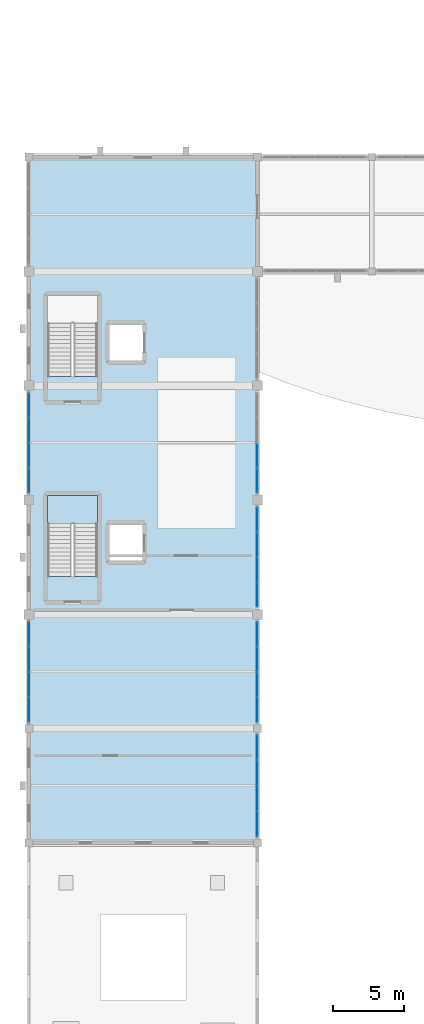
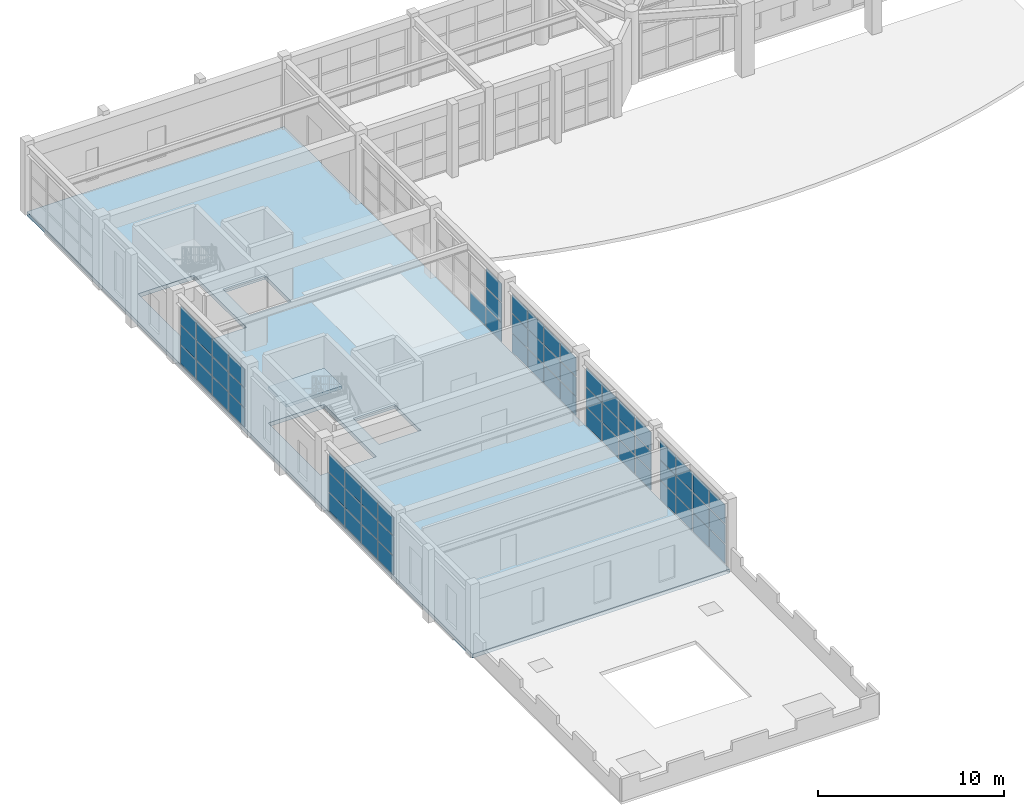
# One storey, part 28 of 59: 64 plates, 2 slabs, 7 elements without a shape of their own.
"""IFC4 building model written with IfcOpenShell, lengths in metres."""

import ifcopenshell
import ifcopenshell.guid

model = None  # the IFC model being written
_history = None  # IfcOwnerHistory: only IFC2X3 demands one
_inside = {}  # id of a spatial element -> (the spatial element, [elements in it])
_under = {}  # id of a project, library or spatial element -> (it, [spatial elements below it])
_declared = {}  # id of a project -> (the project, [libraries it declares])
_typed = {}  # id of a type object -> (the type object, [elements of that type])
_made_of = {}  # id of a material, layer set ... -> (it, [elements and type objects made of it])


def new_model(schema):
    """Start an empty IFC model of exactly this schema.

    Asked for "IFC4X3", IfcOpenShell would pick the latest addendum, in which some entities
    have other attributes; the version numbers below select the first issue.
    IFC2X3 requires an IfcOwnerHistory on every rooted entity: one is made here for all.
    """
    global model, _history
    if schema == "IFC4X3":
        model = ifcopenshell.file(schema_version=(4, 3, 0, 0))
    else:
        model = ifcopenshell.file(schema=schema)
    _inside.clear()
    _under.clear()
    _declared.clear()
    _typed.clear()
    _made_of.clear()
    _history = None
    if model.schema == "IFC2X3":
        org = make("IfcOrganization", Name="unknown")
        user = make(
            "IfcPersonAndOrganization",
            ThePerson=make("IfcPerson", FamilyName="unknown"),
            TheOrganization=org,
        )
        app = make(
            "IfcApplication",
            ApplicationDeveloper=org,
            Version="unknown",
            ApplicationFullName="unknown",
            ApplicationIdentifier="unknown",
        )
        _history = make(
            "IfcOwnerHistory",
            OwningUser=user,
            OwningApplication=app,
            ChangeAction="ADDED",
            CreationDate=0,
        )
    return model


def make(cls, **values):
    """One entity of the class cls with the attributes given. An attribute that is None is left unset."""
    return model.create_entity(
        cls, **{name: value for name, value in values.items() if value is not None}
    )


def rooted(cls, **values):
    """An entity with a GlobalId (a new one), such as an element, a storey or a relation."""
    return make(cls, GlobalId=ifcopenshell.guid.new(), OwnerHistory=_history, **values)


def si_unit(unit_type, name, prefix=None):
    """IfcSIUnit, for example si_unit("LENGTHUNIT", "METRE", prefix="MILLI")."""
    return make("IfcSIUnit", UnitType=unit_type, Prefix=prefix, Name=name)


def assignment(units):
    """IfcUnitAssignment: the units of a project."""
    return None if units is None else make("IfcUnitAssignment", Units=units)


def point(xyz):
    """IfcCartesianPoint."""
    return None if xyz is None else make("IfcCartesianPoint", Coordinates=xyz)


def direction(xyz):
    """IfcDirection."""
    return None if xyz is None else make("IfcDirection", DirectionRatios=xyz)


def frame(location, z_axis=None, x_axis=None):
    """IfcAxis2Placement3D, a coordinate frame: its origin and axes. An axis left out is left unset."""
    return make(
        "IfcAxis2Placement3D",
        Location=point(location),
        Axis=direction(z_axis),
        RefDirection=direction(x_axis),
    )


def frame_2d(location, x_axis=None):
    """IfcAxis2Placement2D, a coordinate frame in the plane: its origin and x axis."""
    return make(
        "IfcAxis2Placement2D", Location=point(location), RefDirection=direction(x_axis)
    )


def origin():
    """The frame at (0, 0, 0) with its axes left unset."""
    return frame((0.0, 0.0, 0.0))


def origin_2d():
    """The frame at (0, 0) in the plane with its x axis left unset."""
    return frame_2d((0.0, 0.0))


def place(relative_to, where):
    """IfcLocalPlacement: puts the frame where relative to a parent placement (None: the world)."""
    return make(
        "IfcLocalPlacement", PlacementRelTo=relative_to, RelativePlacement=where
    )


def context(
    kind, dimensions, precision=None, world=None, true_north=None, identifier=None
):
    """IfcGeometricRepresentationContext, for example the 3D "Model" context."""
    return make(
        "IfcGeometricRepresentationContext",
        ContextIdentifier=identifier,
        ContextType=kind,
        CoordinateSpaceDimension=dimensions,
        Precision=precision,
        WorldCoordinateSystem=world,
        TrueNorth=true_north,
    )


def subcontext(parent, identifier, kind, view, scale=None):
    """IfcGeometricRepresentationSubContext, for example "Body" below "Model"."""
    return make(
        "IfcGeometricRepresentationSubContext",
        ContextIdentifier=identifier,
        ContextType=kind,
        ParentContext=parent,
        TargetScale=scale,
        TargetView=view,
    )


def project(units=None, contexts=None):
    """IfcProject with its units and contexts."""
    return rooted(
        "IfcProject",
        Name="project",
        RepresentationContexts=contexts,
        UnitsInContext=assignment(units),
    )


def spatial(cls, under=None, at=None, **own):
    """A site, building, storey or space (cls), placed at a placement, below another one or the project."""
    s = rooted(cls, ObjectPlacement=at, **own)
    if under is not None:
        _under.setdefault(under.id(), (under, []))[1].append(s)
    return s


def polyline(points):
    """IfcPolyline through the points."""
    return make("IfcPolyline", Points=[point(p) for p in points])


def profile(cls, at=None, kind="AREA", **sizes):
    """A parametric profile (cls). Its sizes go by their IFC names, for example OverallWidth=200.0."""
    return make(cls, ProfileType=kind, Position=at, **sizes)


def rectangle(**sizes):
    """IfcRectangleProfileDef."""
    return profile("IfcRectangleProfileDef", **sizes)


def outline(outer, holes=None, kind="AREA"):
    """IfcArbitraryClosedProfileDef: a profile drawn as a closed curve; with holes, ...WithVoids."""
    if holes is None:
        return make("IfcArbitraryClosedProfileDef", ProfileType=kind, OuterCurve=outer)
    return make(
        "IfcArbitraryProfileDefWithVoids",
        ProfileType=kind,
        OuterCurve=outer,
        InnerCurves=holes,
    )


def extrude(swept, where, along, depth):
    """IfcExtrudedAreaSolid: the profile swept, set in the frame where, extruded along a direction by depth."""
    return make(
        "IfcExtrudedAreaSolid",
        SweptArea=swept,
        Position=where,
        ExtrudedDirection=direction(along),
        Depth=depth,
    )


def shape(context_of_items, identifier, shape_type, items):
    """IfcShapeRepresentation: the items that make up one representation, for example the "Body"."""
    return make(
        "IfcShapeRepresentation",
        ContextOfItems=context_of_items,
        RepresentationIdentifier=identifier,
        RepresentationType=shape_type,
        Items=items,
    )


def material(Name=None, Category=None):
    """IfcMaterial."""
    return make("IfcMaterial", Name=Name, Category=Category)


def layer(
    of_material, thickness, ventilated=None, Name=None, Category=None, Priority=None
):
    """IfcMaterialLayer: one layer of a wall or slab, of a material (None: an air gap)."""
    return make(
        "IfcMaterialLayer",
        Material=of_material,
        LayerThickness=thickness,
        IsVentilated=ventilated,
        Name=Name,
        Category=Category,
        Priority=Priority,
    )


def layer_set(layers, Name=None):
    """IfcMaterialLayerSet."""
    return make("IfcMaterialLayerSet", MaterialLayers=layers, LayerSetName=Name)


def made_of(thing, what):
    """Note that an element or type object is made of a material, layer set ...; save() writes the relation."""
    if what is not None:
        _made_of.setdefault(what.id(), (what, []))[1].append(thing)
    return thing


def type_object(cls, material=None, **own):
    """A type object (cls), such as IfcWallType, which elements share."""
    return made_of(rooted(cls, **own), material)


def element(
    cls,
    number,
    at=None,
    inside=None,
    cuts=None,
    type_object=None,
    material=None,
    context=None,
    identifier="Body",
    shape_type=None,
    held_by="IfcProductDefinitionShape",
    body=None,
    shapes=None,
    **own,
):
    """One element of the class cls, such as IfcWall. Its Tag is "e" and its number.

    at: its placement. inside: the storey or other place that contains it. cuts: it is an
    opening in that element (IfcRelVoidsElement). A single representation is given by context,
    identifier, shape_type and body (its items); several are given by shapes. held_by: the class
    of the entity that holds the representations. save() writes the other relations.
    """
    e = rooted(cls, Tag="e%d" % number, ObjectPlacement=at, **own)
    if body is not None:
        shapes = [shape(context, identifier, shape_type, body)]
    if shapes is not None:
        e.Representation = make(held_by, Representations=shapes)
    if inside is not None:
        _inside.setdefault(inside.id(), (inside, []))[1].append(e)
    if cuts is not None:
        rooted(
            "IfcRelVoidsElement", RelatingBuildingElement=cuts, RelatedOpeningElement=e
        )
    if type_object is not None:
        _typed.setdefault(type_object.id(), (type_object, []))[1].append(e)
    return made_of(e, material)


def aggregate(whole, parts):
    """IfcRelAggregates: a whole, such as a stair, and the parts it consists of."""
    return rooted("IfcRelAggregates", RelatingObject=whole, RelatedObjects=parts)


def save(model, path):
    """Write the relations noted so far, then the file.

    IfcRelAggregates (storeys below a building ...), IfcRelContainedInSpatialStructure (elements
    in a storey), IfcRelDefinesByType, IfcRelAssociatesMaterial and IfcRelDeclares: one each for
    every whole, place, type object, material and project.
    """
    for whole, parts in _under.values():
        aggregate(whole, parts)
    for where, things in _inside.values():
        rooted(
            "IfcRelContainedInSpatialStructure",
            RelatedElements=things,
            RelatingStructure=where,
        )
    for kind, things in _typed.values():
        rooted("IfcRelDefinesByType", RelatedObjects=things, RelatingType=kind)
    for what, things in _made_of.values():
        rooted("IfcRelAssociatesMaterial", RelatedObjects=things, RelatingMaterial=what)
    for by, libraries in _declared.values():
        rooted("IfcRelDeclares", RelatingContext=by, RelatedDefinitions=libraries)
    model.write(path)


model = new_model("IFC4")

# Units and contexts
model_context = context("Model", 3, precision=1e-05, world=origin(), true_north=direction((0.0, 1.0)))
body_context = subcontext(model_context, "Body", "Model", "MODEL_VIEW")
ifc_project = project(units=[si_unit("LENGTHUNIT", "METRE"), si_unit("AREAUNIT", "SQUARE_METRE"), si_unit("VOLUMEUNIT", "CUBIC_METRE"), si_unit("PLANEANGLEUNIT", "RADIAN"), si_unit("MASSUNIT", "GRAM", prefix="KILO")], contexts=[model_context])

# Site, building, storey
site_placement = place(None, origin())
site = spatial("IfcSite", under=ifc_project, at=site_placement, CompositionType="ELEMENT")
building_placement = place(site_placement, origin())
building = spatial("IfcBuilding", under=site, at=building_placement, Name="Serraluz Foothill Cableway Terminal", CompositionType="ELEMENT")
storey_placement = place(building_placement, frame((0.0, 0.0, 4.800048828125)))
storey = spatial("IfcBuildingStorey", under=building, at=storey_placement, Name="L01", CompositionType="ELEMENT", Elevation=4.800048828125)

# Curtain wall, plates
ifc_material_1 = material(Name="Architectural bronze alloy C28000", Category="aluminium")
curtain_wall_type_1 = type_object("IfcCurtainWallType", Name="TYP-CW-620X420", PredefinedType="NOTDEFINED", material=ifc_material_1)
curtain_wall_1_placement = place(storey_placement, origin())
curtain_wall_1 = element("IfcCurtainWall", 1, at=curtain_wall_1_placement, inside=storey, type_object=curtain_wall_type_1, Name="Ribbed Glazed Curtain Wall CW-V5E-L01-16", PredefinedType="NOTDEFINED")
ifc_material_2 = material(Name="Translucent ribbed laminated channel glass", Category="glass")
ifc_layer_1 = layer(ifc_material_2, 0.028076171875, Name="Translucent ribbed laminated channel glass", Category="glass")
ifc_layer_set_1 = layer_set([ifc_layer_1], Name="Translucent ribbed laminated channel glass")
plate_type = type_object("IfcPlateType", Name="TYP-CW-PNL-28", PredefinedType="CURTAIN_PANEL", material=ifc_layer_set_1)
plate_1_placement = place(storey_placement, frame((16.0, 22.673828125, 0.06005859375), z_axis=(0.0, 0.0, 1.0), x_axis=(0.0, -1.0, 0.0)))
plate_1 = element("IfcPlate", 2, at=plate_1_placement, type_object=plate_type, Name="CW-11 panel 1.1", PredefinedType="CURTAIN_PANEL", context=body_context, shape_type="SweptSolid", body=[
    extrude(rectangle(XDim=1.702392578125, YDim=0.028076171875, at=origin_2d()), origin(), (0.0, 0.0, 1.0), 1.236328125),
])
plate_2_placement = place(storey_placement, frame((16.0, 22.673828125, 1.3564453125), z_axis=(0.0, 0.0, 1.0), x_axis=(0.0, -1.0, 0.0)))
plate_2 = element("IfcPlate", 3, at=plate_2_placement, type_object=plate_type, Name="CW-11 panel 1.2", PredefinedType="CURTAIN_PANEL", context=body_context, shape_type="SweptSolid", body=[
    extrude(rectangle(XDim=1.702392578125, YDim=0.028076171875, at=origin_2d()), origin(), (0.0, 0.0, 1.0), 1.266357421875),
])
plate_3_placement = place(storey_placement, frame((16.0, 22.673828125, 2.6826171875), z_axis=(0.0, 0.0, 1.0), x_axis=(0.0, -1.0, 0.0)))
plate_3 = element("IfcPlate", 4, at=plate_3_placement, type_object=plate_type, Name="CW-11 panel 1.3", PredefinedType="CURTAIN_PANEL", context=body_context, shape_type="SweptSolid", body=[
    extrude(rectangle(XDim=1.702392578125, YDim=0.028076171875, at=origin_2d()), origin(), (0.0, 0.0, 1.0), 1.236328125),
])
plate_4_placement = place(storey_placement, frame((16.0, 20.896240234375, 0.06005859375), z_axis=(0.0, 0.0, 1.0), x_axis=(0.0, -1.0, 0.0)))
plate_4 = element("IfcPlate", 5, at=plate_4_placement, type_object=plate_type, Name="CW-11 panel 2.1", PredefinedType="CURTAIN_PANEL", context=body_context, shape_type="SweptSolid", body=[
    extrude(rectangle(XDim=1.732421875, YDim=0.028076171875, at=origin_2d()), origin(), (0.0, 0.0, 1.0), 1.236328125),
])
plate_5_placement = place(storey_placement, frame((16.0, 20.896240234375, 1.3564453125), z_axis=(0.0, 0.0, 1.0), x_axis=(0.0, -1.0, 0.0)))
plate_5 = element("IfcPlate", 6, at=plate_5_placement, type_object=plate_type, Name="CW-11 panel 2.2", PredefinedType="CURTAIN_PANEL", context=body_context, shape_type="SweptSolid", body=[
    extrude(rectangle(XDim=1.732421875, YDim=0.028076171875, at=origin_2d()), origin(), (0.0, 0.0, 1.0), 1.266357421875),
])
plate_6_placement = place(storey_placement, frame((16.0, 20.896240234375, 2.6826171875), z_axis=(0.0, 0.0, 1.0), x_axis=(0.0, -1.0, 0.0)))
plate_6 = element("IfcPlate", 7, at=plate_6_placement, type_object=plate_type, Name="CW-11 panel 2.3", PredefinedType="CURTAIN_PANEL", context=body_context, shape_type="SweptSolid", body=[
    extrude(rectangle(XDim=1.732421875, YDim=0.028076171875, at=origin_2d()), origin(), (0.0, 0.0, 1.0), 1.236328125),
])
plate_7_placement = place(storey_placement, frame((16.0, 19.103759765625, 0.06005859375), z_axis=(0.0, 0.0, 1.0), x_axis=(0.0, -1.0, 0.0)))
plate_7 = element("IfcPlate", 8, at=plate_7_placement, type_object=plate_type, Name="CW-11 panel 3.1", PredefinedType="CURTAIN_PANEL", context=body_context, shape_type="SweptSolid", body=[
    extrude(rectangle(XDim=1.732421875, YDim=0.028076171875, at=origin_2d()), origin(), (0.0, 0.0, 1.0), 1.236328125),
])
plate_8_placement = place(storey_placement, frame((16.0, 19.103759765625, 1.3564453125), z_axis=(0.0, 0.0, 1.0), x_axis=(0.0, -1.0, 0.0)))
plate_8 = element("IfcPlate", 9, at=plate_8_placement, type_object=plate_type, Name="CW-11 panel 3.2", PredefinedType="CURTAIN_PANEL", context=body_context, shape_type="SweptSolid", body=[
    extrude(rectangle(XDim=1.732421875, YDim=0.028076171875, at=origin_2d()), origin(), (0.0, 0.0, 1.0), 1.266357421875),
])
plate_9_placement = place(storey_placement, frame((16.0, 19.103759765625, 2.6826171875), z_axis=(0.0, 0.0, 1.0), x_axis=(0.0, -1.0, 0.0)))
plate_9 = element("IfcPlate", 10, at=plate_9_placement, type_object=plate_type, Name="CW-11 panel 3.3", PredefinedType="CURTAIN_PANEL", context=body_context, shape_type="SweptSolid", body=[
    extrude(rectangle(XDim=1.732421875, YDim=0.028076171875, at=origin_2d()), origin(), (0.0, 0.0, 1.0), 1.236328125),
])
plate_10_placement = place(storey_placement, frame((16.0, 17.326171875, 0.06005859375), z_axis=(0.0, 0.0, 1.0), x_axis=(0.0, -1.0, 0.0)))
plate_10 = element("IfcPlate", 11, at=plate_10_placement, type_object=plate_type, Name="CW-11 panel 4.1", PredefinedType="CURTAIN_PANEL", context=body_context, shape_type="SweptSolid", body=[
    extrude(rectangle(XDim=1.702392578125, YDim=0.028076171875, at=origin_2d()), origin(), (0.0, 0.0, 1.0), 1.236328125),
])
plate_11_placement = place(storey_placement, frame((16.0, 17.326171875, 1.3564453125), z_axis=(0.0, 0.0, 1.0), x_axis=(0.0, -1.0, 0.0)))
plate_11 = element("IfcPlate", 12, at=plate_11_placement, type_object=plate_type, Name="CW-11 panel 4.2", PredefinedType="CURTAIN_PANEL", context=body_context, shape_type="SweptSolid", body=[
    extrude(rectangle(XDim=1.702392578125, YDim=0.028076171875, at=origin_2d()), origin(), (0.0, 0.0, 1.0), 1.266357421875),
])
plate_12_placement = place(storey_placement, frame((16.0, 17.326171875, 2.6826171875), z_axis=(0.0, 0.0, 1.0), x_axis=(0.0, -1.0, 0.0)))
plate_12 = element("IfcPlate", 13, at=plate_12_placement, type_object=plate_type, Name="CW-11 panel 4.3", PredefinedType="CURTAIN_PANEL", context=body_context, shape_type="SweptSolid", body=[
    extrude(rectangle(XDim=1.702392578125, YDim=0.028076171875, at=origin_2d()), origin(), (0.0, 0.0, 1.0), 1.236328125),
])
aggregate(curtain_wall_1, [plate_1, plate_2, plate_3, plate_4, plate_5, plate_6, plate_7, plate_8, plate_9, plate_10, plate_11, plate_12])

curtain_wall_type_2 = type_object("IfcCurtainWallType", Name="TYP-CW-740X440", PredefinedType="NOTDEFINED", material=ifc_material_1)
curtain_wall_2_placement = place(storey_placement, origin())
curtain_wall_2 = element("IfcCurtainWall", 14, at=curtain_wall_2_placement, inside=storey, type_object=curtain_wall_type_2, Name="Ribbed Glazed Curtain Wall CW-V5W-L01-24", PredefinedType="NOTDEFINED")
plate_13_placement = place(storey_placement, frame((0.0, 25.31689453125, 0.06005859375), z_axis=(0.0, 0.0, 1.0), x_axis=(0.0, 1.0, 0.0)))
plate_13 = element("IfcPlate", 15, at=plate_13_placement, type_object=plate_type, Name="CW-06 panel 1.1", PredefinedType="CURTAIN_PANEL", context=body_context, shape_type="SweptSolid", body=[
    extrude(rectangle(XDim=1.683837890625, YDim=0.028076171875, at=origin_2d()), origin(), (0.0, 0.0, 1.0), 1.218017578125),
])
plate_14_placement = place(storey_placement, frame((0.0, 25.31689453125, 1.337890625), z_axis=(0.0, 0.0, 1.0), x_axis=(0.0, 1.0, 0.0)))
plate_14 = element("IfcPlate", 16, at=plate_14_placement, type_object=plate_type, Name="CW-06 panel 1.2", PredefinedType="CURTAIN_PANEL", context=body_context, shape_type="SweptSolid", body=[
    extrude(rectangle(XDim=1.683837890625, YDim=0.028076171875, at=origin_2d()), origin(), (0.0, 0.0, 1.0), 1.248046875),
])
plate_15_placement = place(storey_placement, frame((0.0, 25.31689453125, 2.64599609375), z_axis=(0.0, 0.0, 1.0), x_axis=(0.0, 1.0, 0.0)))
plate_15 = element("IfcPlate", 17, at=plate_15_placement, type_object=plate_type, Name="CW-06 panel 1.3", PredefinedType="CURTAIN_PANEL", context=body_context, shape_type="SweptSolid", body=[
    extrude(rectangle(XDim=1.683837890625, YDim=0.028076171875, at=origin_2d()), origin(), (0.0, 0.0, 1.0), 1.218017578125),
])
plate_16_placement = place(storey_placement, frame((0.0, 27.07568359375, 0.06005859375), z_axis=(0.0, 0.0, 1.0), x_axis=(0.0, 1.0, 0.0)))
plate_16 = element("IfcPlate", 18, at=plate_16_placement, type_object=plate_type, Name="CW-06 panel 2.1", PredefinedType="CURTAIN_PANEL", context=body_context, shape_type="SweptSolid", body=[
    extrude(rectangle(XDim=1.7138671875, YDim=0.028076171875, at=origin_2d()), origin(), (0.0, 0.0, 1.0), 1.218017578125),
])
plate_17_placement = place(storey_placement, frame((0.0, 27.07568359375, 1.337890625), z_axis=(0.0, 0.0, 1.0), x_axis=(0.0, 1.0, 0.0)))
plate_17 = element("IfcPlate", 19, at=plate_17_placement, type_object=plate_type, Name="CW-06 panel 2.2", PredefinedType="CURTAIN_PANEL", context=body_context, shape_type="SweptSolid", body=[
    extrude(rectangle(XDim=1.7138671875, YDim=0.028076171875, at=origin_2d()), origin(), (0.0, 0.0, 1.0), 1.248046875),
])
plate_18_placement = place(storey_placement, frame((0.0, 27.07568359375, 2.64599609375), z_axis=(0.0, 0.0, 1.0), x_axis=(0.0, 1.0, 0.0)))
plate_18 = element("IfcPlate", 20, at=plate_18_placement, type_object=plate_type, Name="CW-06 panel 2.3", PredefinedType="CURTAIN_PANEL", context=body_context, shape_type="SweptSolid", body=[
    extrude(rectangle(XDim=1.7138671875, YDim=0.028076171875, at=origin_2d()), origin(), (0.0, 0.0, 1.0), 1.218017578125),
])
plate_19_placement = place(storey_placement, frame((0.0, 28.849365234375, 0.06005859375), z_axis=(0.0, 0.0, 1.0), x_axis=(0.0, 1.0, 0.0)))
plate_19 = element("IfcPlate", 21, at=plate_19_placement, type_object=plate_type, Name="CW-06 panel 3.1", PredefinedType="CURTAIN_PANEL", context=body_context, shape_type="SweptSolid", body=[
    extrude(rectangle(XDim=1.7138671875, YDim=0.028076171875, at=origin_2d()), origin(), (0.0, 0.0, 1.0), 1.218017578125),
])
plate_20_placement = place(storey_placement, frame((0.0, 28.849365234375, 1.337890625), z_axis=(0.0, 0.0, 1.0), x_axis=(0.0, 1.0, 0.0)))
plate_20 = element("IfcPlate", 22, at=plate_20_placement, type_object=plate_type, Name="CW-06 panel 3.2", PredefinedType="CURTAIN_PANEL", context=body_context, shape_type="SweptSolid", body=[
    extrude(rectangle(XDim=1.7138671875, YDim=0.028076171875, at=origin_2d()), origin(), (0.0, 0.0, 1.0), 1.248046875),
])
plate_21_placement = place(storey_placement, frame((0.0, 28.849365234375, 2.64599609375), z_axis=(0.0, 0.0, 1.0), x_axis=(0.0, 1.0, 0.0)))
plate_21 = element("IfcPlate", 23, at=plate_21_placement, type_object=plate_type, Name="CW-06 panel 3.3", PredefinedType="CURTAIN_PANEL", context=body_context, shape_type="SweptSolid", body=[
    extrude(rectangle(XDim=1.7138671875, YDim=0.028076171875, at=origin_2d()), origin(), (0.0, 0.0, 1.0), 1.218017578125),
])
plate_22_placement = place(storey_placement, frame((0.0, 30.608154296875, 0.06005859375), z_axis=(0.0, 0.0, 1.0), x_axis=(0.0, 1.0, 0.0)))
plate_22 = element("IfcPlate", 24, at=plate_22_placement, type_object=plate_type, Name="CW-06 panel 4.1", PredefinedType="CURTAIN_PANEL", context=body_context, shape_type="SweptSolid", body=[
    extrude(rectangle(XDim=1.683837890625, YDim=0.028076171875, at=origin_2d()), origin(), (0.0, 0.0, 1.0), 1.218017578125),
])
plate_23_placement = place(storey_placement, frame((0.0, 30.608154296875, 1.337890625), z_axis=(0.0, 0.0, 1.0), x_axis=(0.0, 1.0, 0.0)))
plate_23 = element("IfcPlate", 25, at=plate_23_placement, type_object=plate_type, Name="CW-06 panel 4.2", PredefinedType="CURTAIN_PANEL", context=body_context, shape_type="SweptSolid", body=[
    extrude(rectangle(XDim=1.683837890625, YDim=0.028076171875, at=origin_2d()), origin(), (0.0, 0.0, 1.0), 1.248046875),
])
plate_24_placement = place(storey_placement, frame((0.0, 30.608154296875, 2.64599609375), z_axis=(0.0, 0.0, 1.0), x_axis=(0.0, 1.0, 0.0)))
plate_24 = element("IfcPlate", 26, at=plate_24_placement, type_object=plate_type, Name="CW-06 panel 4.3", PredefinedType="CURTAIN_PANEL", context=body_context, shape_type="SweptSolid", body=[
    extrude(rectangle(XDim=1.683837890625, YDim=0.028076171875, at=origin_2d()), origin(), (0.0, 0.0, 1.0), 1.218017578125),
])
aggregate(curtain_wall_2, [plate_13, plate_14, plate_15, plate_16, plate_17, plate_18, plate_19, plate_20, plate_21, plate_22, plate_23, plate_24])

curtain_wall_type_3 = type_object("IfcCurtainWallType", Name="TYP-CW-640X440", PredefinedType="NOTDEFINED", material=ifc_material_1)
curtain_wall_3_placement = place(storey_placement, origin())
curtain_wall_3 = element("IfcCurtainWall", 27, at=curtain_wall_3_placement, inside=storey, type_object=curtain_wall_type_3, Name="Ribbed Glazed Curtain Wall CW-V5E-L01-24", PredefinedType="NOTDEFINED")
plate_25_placement = place(storey_placement, frame((16.0, 30.608154296875, 0.06005859375), z_axis=(0.0, 0.0, 1.0), x_axis=(0.0, -1.0, 0.0)))
plate_25 = element("IfcPlate", 28, at=plate_25_placement, type_object=plate_type, Name="CW-12 panel 1.1", PredefinedType="CURTAIN_PANEL", context=body_context, shape_type="SweptSolid", body=[
    extrude(rectangle(XDim=1.683837890625, YDim=0.028076171875, at=origin_2d()), origin(), (0.0, 0.0, 1.0), 1.218017578125),
])
plate_26_placement = place(storey_placement, frame((16.0, 30.608154296875, 1.337890625), z_axis=(0.0, 0.0, 1.0), x_axis=(0.0, -1.0, 0.0)))
plate_26 = element("IfcPlate", 29, at=plate_26_placement, type_object=plate_type, Name="CW-12 panel 1.2", PredefinedType="CURTAIN_PANEL", context=body_context, shape_type="SweptSolid", body=[
    extrude(rectangle(XDim=1.683837890625, YDim=0.028076171875, at=origin_2d()), origin(), (0.0, 0.0, 1.0), 1.248046875),
])
plate_27_placement = place(storey_placement, frame((16.0, 30.608154296875, 2.64599609375), z_axis=(0.0, 0.0, 1.0), x_axis=(0.0, -1.0, 0.0)))
plate_27 = element("IfcPlate", 30, at=plate_27_placement, type_object=plate_type, Name="CW-12 panel 1.3", PredefinedType="CURTAIN_PANEL", context=body_context, shape_type="SweptSolid", body=[
    extrude(rectangle(XDim=1.683837890625, YDim=0.028076171875, at=origin_2d()), origin(), (0.0, 0.0, 1.0), 1.218017578125),
])
plate_28_placement = place(storey_placement, frame((16.0, 28.849365234375, 0.06005859375), z_axis=(0.0, 0.0, 1.0), x_axis=(0.0, -1.0, 0.0)))
plate_28 = element("IfcPlate", 31, at=plate_28_placement, type_object=plate_type, Name="CW-12 panel 2.1", PredefinedType="CURTAIN_PANEL", context=body_context, shape_type="SweptSolid", body=[
    extrude(rectangle(XDim=1.7138671875, YDim=0.028076171875, at=origin_2d()), origin(), (0.0, 0.0, 1.0), 1.218017578125),
])
plate_29_placement = place(storey_placement, frame((16.0, 28.849365234375, 1.337890625), z_axis=(0.0, 0.0, 1.0), x_axis=(0.0, -1.0, 0.0)))
plate_29 = element("IfcPlate", 32, at=plate_29_placement, type_object=plate_type, Name="CW-12 panel 2.2", PredefinedType="CURTAIN_PANEL", context=body_context, shape_type="SweptSolid", body=[
    extrude(rectangle(XDim=1.7138671875, YDim=0.028076171875, at=origin_2d()), origin(), (0.0, 0.0, 1.0), 1.248046875),
])
plate_30_placement = place(storey_placement, frame((16.0, 28.849365234375, 2.64599609375), z_axis=(0.0, 0.0, 1.0), x_axis=(0.0, -1.0, 0.0)))
plate_30 = element("IfcPlate", 33, at=plate_30_placement, type_object=plate_type, Name="CW-12 panel 2.3", PredefinedType="CURTAIN_PANEL", context=body_context, shape_type="SweptSolid", body=[
    extrude(rectangle(XDim=1.7138671875, YDim=0.028076171875, at=origin_2d()), origin(), (0.0, 0.0, 1.0), 1.218017578125),
])
plate_31_placement = place(storey_placement, frame((16.0, 27.07568359375, 0.06005859375), z_axis=(0.0, 0.0, 1.0), x_axis=(0.0, -1.0, 0.0)))
plate_31 = element("IfcPlate", 34, at=plate_31_placement, type_object=plate_type, Name="CW-12 panel 3.1", PredefinedType="CURTAIN_PANEL", context=body_context, shape_type="SweptSolid", body=[
    extrude(rectangle(XDim=1.7138671875, YDim=0.028076171875, at=origin_2d()), origin(), (0.0, 0.0, 1.0), 1.218017578125),
])
plate_32_placement = place(storey_placement, frame((16.0, 27.07568359375, 1.337890625), z_axis=(0.0, 0.0, 1.0), x_axis=(0.0, -1.0, 0.0)))
plate_32 = element("IfcPlate", 35, at=plate_32_placement, type_object=plate_type, Name="CW-12 panel 3.2", PredefinedType="CURTAIN_PANEL", context=body_context, shape_type="SweptSolid", body=[
    extrude(rectangle(XDim=1.7138671875, YDim=0.028076171875, at=origin_2d()), origin(), (0.0, 0.0, 1.0), 1.248046875),
])
plate_33_placement = place(storey_placement, frame((16.0, 27.07568359375, 2.64599609375), z_axis=(0.0, 0.0, 1.0), x_axis=(0.0, -1.0, 0.0)))
plate_33 = element("IfcPlate", 36, at=plate_33_placement, type_object=plate_type, Name="CW-12 panel 3.3", PredefinedType="CURTAIN_PANEL", context=body_context, shape_type="SweptSolid", body=[
    extrude(rectangle(XDim=1.7138671875, YDim=0.028076171875, at=origin_2d()), origin(), (0.0, 0.0, 1.0), 1.218017578125),
])
plate_34_placement = place(storey_placement, frame((16.0, 25.31689453125, 0.06005859375), z_axis=(0.0, 0.0, 1.0), x_axis=(0.0, -1.0, 0.0)))
plate_34 = element("IfcPlate", 37, at=plate_34_placement, type_object=plate_type, Name="CW-12 panel 4.1", PredefinedType="CURTAIN_PANEL", context=body_context, shape_type="SweptSolid", body=[
    extrude(rectangle(XDim=1.683837890625, YDim=0.028076171875, at=origin_2d()), origin(), (0.0, 0.0, 1.0), 1.218017578125),
])
plate_35_placement = place(storey_placement, frame((16.0, 25.31689453125, 1.337890625), z_axis=(0.0, 0.0, 1.0), x_axis=(0.0, -1.0, 0.0)))
plate_35 = element("IfcPlate", 38, at=plate_35_placement, type_object=plate_type, Name="CW-12 panel 4.2", PredefinedType="CURTAIN_PANEL", context=body_context, shape_type="SweptSolid", body=[
    extrude(rectangle(XDim=1.683837890625, YDim=0.028076171875, at=origin_2d()), origin(), (0.0, 0.0, 1.0), 1.248046875),
])
plate_36_placement = place(storey_placement, frame((16.0, 25.31689453125, 2.64599609375), z_axis=(0.0, 0.0, 1.0), x_axis=(0.0, -1.0, 0.0)))
plate_36 = element("IfcPlate", 39, at=plate_36_placement, type_object=plate_type, Name="CW-12 panel 4.3", PredefinedType="CURTAIN_PANEL", context=body_context, shape_type="SweptSolid", body=[
    extrude(rectangle(XDim=1.683837890625, YDim=0.028076171875, at=origin_2d()), origin(), (0.0, 0.0, 1.0), 1.218017578125),
])
aggregate(curtain_wall_3, [plate_25, plate_26, plate_27, plate_28, plate_29, plate_30, plate_31, plate_32, plate_33, plate_34, plate_35, plate_36])

curtain_wall_type_4 = type_object("IfcCurtainWallType", Name="TYP-CW-680X420", PredefinedType="NOTDEFINED", material=ifc_material_1)
curtain_wall_4_placement = place(storey_placement, origin())
curtain_wall_4 = element("IfcCurtainWall", 40, at=curtain_wall_4_placement, inside=storey, type_object=curtain_wall_type_4, Name="Ribbed Glazed Curtain Wall CW-V5E-L01-32", PredefinedType="NOTDEFINED")
plate_37_placement = place(storey_placement, frame((16.0, 38.617431640625, 0.06005859375), z_axis=(0.0, 0.0, 1.0), x_axis=(0.0, -1.0, 0.0)))
plate_37 = element("IfcPlate", 41, at=plate_37_placement, type_object=plate_type, Name="CW-13 panel 1.1", PredefinedType="CURTAIN_PANEL", context=body_context, shape_type="SweptSolid", body=[
    extrude(rectangle(XDim=1.6650390625, YDim=0.028076171875, at=origin_2d()), origin(), (0.0, 0.0, 1.0), 1.218017578125),
])
plate_38_placement = place(storey_placement, frame((16.0, 38.617431640625, 1.337890625), z_axis=(0.0, 0.0, 1.0), x_axis=(0.0, -1.0, 0.0)))
plate_38 = element("IfcPlate", 42, at=plate_38_placement, type_object=plate_type, Name="CW-13 panel 1.2", PredefinedType="CURTAIN_PANEL", context=body_context, shape_type="SweptSolid", body=[
    extrude(rectangle(XDim=1.6650390625, YDim=0.028076171875, at=origin_2d()), origin(), (0.0, 0.0, 1.0), 1.248046875),
])
plate_39_placement = place(storey_placement, frame((16.0, 38.617431640625, 2.64599609375), z_axis=(0.0, 0.0, 1.0), x_axis=(0.0, -1.0, 0.0)))
plate_39 = element("IfcPlate", 43, at=plate_39_placement, type_object=plate_type, Name="CW-13 panel 1.3", PredefinedType="CURTAIN_PANEL", context=body_context, shape_type="SweptSolid", body=[
    extrude(rectangle(XDim=1.6650390625, YDim=0.028076171875, at=origin_2d()), origin(), (0.0, 0.0, 1.0), 1.218017578125),
])
plate_40_placement = place(storey_placement, frame((16.0, 36.87744140625, 0.06005859375), z_axis=(0.0, 0.0, 1.0), x_axis=(0.0, -1.0, 0.0)))
plate_40 = element("IfcPlate", 44, at=plate_40_placement, type_object=plate_type, Name="CW-13 panel 2.1", PredefinedType="CURTAIN_PANEL", context=body_context, shape_type="SweptSolid", body=[
    extrude(rectangle(XDim=1.695068359375, YDim=0.028076171875, at=origin_2d()), origin(), (0.0, 0.0, 1.0), 1.218017578125),
])
plate_41_placement = place(storey_placement, frame((16.0, 36.87744140625, 1.337890625), z_axis=(0.0, 0.0, 1.0), x_axis=(0.0, -1.0, 0.0)))
plate_41 = element("IfcPlate", 45, at=plate_41_placement, type_object=plate_type, Name="CW-13 panel 2.2", PredefinedType="CURTAIN_PANEL", context=body_context, shape_type="SweptSolid", body=[
    extrude(rectangle(XDim=1.695068359375, YDim=0.028076171875, at=origin_2d()), origin(), (0.0, 0.0, 1.0), 1.248046875),
])
plate_42_placement = place(storey_placement, frame((16.0, 36.87744140625, 2.64599609375), z_axis=(0.0, 0.0, 1.0), x_axis=(0.0, -1.0, 0.0)))
plate_42 = element("IfcPlate", 46, at=plate_42_placement, type_object=plate_type, Name="CW-13 panel 2.3", PredefinedType="CURTAIN_PANEL", context=body_context, shape_type="SweptSolid", body=[
    extrude(rectangle(XDim=1.695068359375, YDim=0.028076171875, at=origin_2d()), origin(), (0.0, 0.0, 1.0), 1.218017578125),
])
plate_43_placement = place(storey_placement, frame((16.0, 35.12255859375, 0.06005859375), z_axis=(0.0, 0.0, 1.0), x_axis=(0.0, -1.0, 0.0)))
plate_43 = element("IfcPlate", 47, at=plate_43_placement, type_object=plate_type, Name="CW-13 panel 3.1", PredefinedType="CURTAIN_PANEL", context=body_context, shape_type="SweptSolid", body=[
    extrude(rectangle(XDim=1.695068359375, YDim=0.028076171875, at=origin_2d()), origin(), (0.0, 0.0, 1.0), 1.218017578125),
])
plate_44_placement = place(storey_placement, frame((16.0, 35.12255859375, 1.337890625), z_axis=(0.0, 0.0, 1.0), x_axis=(0.0, -1.0, 0.0)))
plate_44 = element("IfcPlate", 48, at=plate_44_placement, type_object=plate_type, Name="CW-13 panel 3.2", PredefinedType="CURTAIN_PANEL", context=body_context, shape_type="SweptSolid", body=[
    extrude(rectangle(XDim=1.695068359375, YDim=0.028076171875, at=origin_2d()), origin(), (0.0, 0.0, 1.0), 1.248046875),
])
plate_45_placement = place(storey_placement, frame((16.0, 35.12255859375, 2.64599609375), z_axis=(0.0, 0.0, 1.0), x_axis=(0.0, -1.0, 0.0)))
plate_45 = element("IfcPlate", 49, at=plate_45_placement, type_object=plate_type, Name="CW-13 panel 3.3", PredefinedType="CURTAIN_PANEL", context=body_context, shape_type="SweptSolid", body=[
    extrude(rectangle(XDim=1.695068359375, YDim=0.028076171875, at=origin_2d()), origin(), (0.0, 0.0, 1.0), 1.218017578125),
])
plate_46_placement = place(storey_placement, frame((16.0, 33.382568359375, 0.06005859375), z_axis=(0.0, 0.0, 1.0), x_axis=(0.0, -1.0, 0.0)))
plate_46 = element("IfcPlate", 50, at=plate_46_placement, type_object=plate_type, Name="CW-13 panel 4.1", PredefinedType="CURTAIN_PANEL", context=body_context, shape_type="SweptSolid", body=[
    extrude(rectangle(XDim=1.6650390625, YDim=0.028076171875, at=origin_2d()), origin(), (0.0, 0.0, 1.0), 1.218017578125),
])
plate_47_placement = place(storey_placement, frame((16.0, 33.382568359375, 1.337890625), z_axis=(0.0, 0.0, 1.0), x_axis=(0.0, -1.0, 0.0)))
plate_47 = element("IfcPlate", 51, at=plate_47_placement, type_object=plate_type, Name="CW-13 panel 4.2", PredefinedType="CURTAIN_PANEL", context=body_context, shape_type="SweptSolid", body=[
    extrude(rectangle(XDim=1.6650390625, YDim=0.028076171875, at=origin_2d()), origin(), (0.0, 0.0, 1.0), 1.248046875),
])
plate_48_placement = place(storey_placement, frame((16.0, 33.382568359375, 2.64599609375), z_axis=(0.0, 0.0, 1.0), x_axis=(0.0, -1.0, 0.0)))
plate_48 = element("IfcPlate", 52, at=plate_48_placement, type_object=plate_type, Name="CW-13 panel 4.3", PredefinedType="CURTAIN_PANEL", context=body_context, shape_type="SweptSolid", body=[
    extrude(rectangle(XDim=1.6650390625, YDim=0.028076171875, at=origin_2d()), origin(), (0.0, 0.0, 1.0), 1.218017578125),
])
aggregate(curtain_wall_4, [plate_37, plate_38, plate_39, plate_40, plate_41, plate_42, plate_43, plate_44, plate_45, plate_46, plate_47, plate_48])

curtain_wall_type_5 = type_object("IfcCurtainWallType", Name="TYP-CW-520X440", PredefinedType="NOTDEFINED", material=ifc_material_1)
curtain_wall_5_placement = place(storey_placement, origin())
curtain_wall_5 = element("IfcCurtainWall", 53, at=curtain_wall_5_placement, inside=storey, type_object=curtain_wall_type_5, Name="Ribbed Glazed Curtain Wall CW-V5W-L01-40", PredefinedType="NOTDEFINED")
plate_49_placement = place(storey_placement, frame((0.0, 41.382568359375, 0.06005859375), z_axis=(0.0, 0.0, 1.0), x_axis=(0.0, 1.0, 0.0)))
plate_49 = element("IfcPlate", 54, at=plate_49_placement, type_object=plate_type, Name="CW-08 panel 1.1", PredefinedType="CURTAIN_PANEL", context=body_context, shape_type="SweptSolid", body=[
    extrude(rectangle(XDim=1.6650390625, YDim=0.028076171875, at=origin_2d()), origin(), (0.0, 0.0, 1.0), 1.218017578125),
])
plate_50_placement = place(storey_placement, frame((0.0, 41.382568359375, 1.337890625), z_axis=(0.0, 0.0, 1.0), x_axis=(0.0, 1.0, 0.0)))
plate_50 = element("IfcPlate", 55, at=plate_50_placement, type_object=plate_type, Name="CW-08 panel 1.2", PredefinedType="CURTAIN_PANEL", context=body_context, shape_type="SweptSolid", body=[
    extrude(rectangle(XDim=1.6650390625, YDim=0.028076171875, at=origin_2d()), origin(), (0.0, 0.0, 1.0), 1.248046875),
])
plate_51_placement = place(storey_placement, frame((0.0, 41.382568359375, 2.64599609375), z_axis=(0.0, 0.0, 1.0), x_axis=(0.0, 1.0, 0.0)))
plate_51 = element("IfcPlate", 56, at=plate_51_placement, type_object=plate_type, Name="CW-08 panel 1.3", PredefinedType="CURTAIN_PANEL", context=body_context, shape_type="SweptSolid", body=[
    extrude(rectangle(XDim=1.6650390625, YDim=0.028076171875, at=origin_2d()), origin(), (0.0, 0.0, 1.0), 1.218017578125),
])
plate_52_placement = place(storey_placement, frame((0.0, 43.12255859375, 0.06005859375), z_axis=(0.0, 0.0, 1.0), x_axis=(0.0, 1.0, 0.0)))
plate_52 = element("IfcPlate", 57, at=plate_52_placement, type_object=plate_type, Name="CW-08 panel 2.1", PredefinedType="CURTAIN_PANEL", context=body_context, shape_type="SweptSolid", body=[
    extrude(rectangle(XDim=1.695068359375, YDim=0.028076171875, at=origin_2d()), origin(), (0.0, 0.0, 1.0), 1.218017578125),
])
plate_53_placement = place(storey_placement, frame((0.0, 43.12255859375, 1.337890625), z_axis=(0.0, 0.0, 1.0), x_axis=(0.0, 1.0, 0.0)))
plate_53 = element("IfcPlate", 58, at=plate_53_placement, type_object=plate_type, Name="CW-08 panel 2.2", PredefinedType="CURTAIN_PANEL", context=body_context, shape_type="SweptSolid", body=[
    extrude(rectangle(XDim=1.695068359375, YDim=0.028076171875, at=origin_2d()), origin(), (0.0, 0.0, 1.0), 1.248046875),
])
plate_54_placement = place(storey_placement, frame((0.0, 43.12255859375, 2.64599609375), z_axis=(0.0, 0.0, 1.0), x_axis=(0.0, 1.0, 0.0)))
plate_54 = element("IfcPlate", 59, at=plate_54_placement, type_object=plate_type, Name="CW-08 panel 2.3", PredefinedType="CURTAIN_PANEL", context=body_context, shape_type="SweptSolid", body=[
    extrude(rectangle(XDim=1.695068359375, YDim=0.028076171875, at=origin_2d()), origin(), (0.0, 0.0, 1.0), 1.218017578125),
])
plate_55_placement = place(storey_placement, frame((0.0, 44.87744140625, 0.06005859375), z_axis=(0.0, 0.0, 1.0), x_axis=(0.0, 1.0, 0.0)))
plate_55 = element("IfcPlate", 60, at=plate_55_placement, type_object=plate_type, Name="CW-08 panel 3.1", PredefinedType="CURTAIN_PANEL", context=body_context, shape_type="SweptSolid", body=[
    extrude(rectangle(XDim=1.695068359375, YDim=0.028076171875, at=origin_2d()), origin(), (0.0, 0.0, 1.0), 1.218017578125),
])
plate_56_placement = place(storey_placement, frame((0.0, 44.87744140625, 1.337890625), z_axis=(0.0, 0.0, 1.0), x_axis=(0.0, 1.0, 0.0)))
plate_56 = element("IfcPlate", 61, at=plate_56_placement, type_object=plate_type, Name="CW-08 panel 3.2", PredefinedType="CURTAIN_PANEL", context=body_context, shape_type="SweptSolid", body=[
    extrude(rectangle(XDim=1.695068359375, YDim=0.028076171875, at=origin_2d()), origin(), (0.0, 0.0, 1.0), 1.248046875),
])
plate_57_placement = place(storey_placement, frame((0.0, 44.87744140625, 2.64599609375), z_axis=(0.0, 0.0, 1.0), x_axis=(0.0, 1.0, 0.0)))
plate_57 = element("IfcPlate", 62, at=plate_57_placement, type_object=plate_type, Name="CW-08 panel 3.3", PredefinedType="CURTAIN_PANEL", context=body_context, shape_type="SweptSolid", body=[
    extrude(rectangle(XDim=1.695068359375, YDim=0.028076171875, at=origin_2d()), origin(), (0.0, 0.0, 1.0), 1.218017578125),
])
plate_58_placement = place(storey_placement, frame((0.0, 46.617431640625, 0.06005859375), z_axis=(0.0, 0.0, 1.0), x_axis=(0.0, 1.0, 0.0)))
plate_58 = element("IfcPlate", 63, at=plate_58_placement, type_object=plate_type, Name="CW-08 panel 4.1", PredefinedType="CURTAIN_PANEL", context=body_context, shape_type="SweptSolid", body=[
    extrude(rectangle(XDim=1.6650390625, YDim=0.028076171875, at=origin_2d()), origin(), (0.0, 0.0, 1.0), 1.218017578125),
])
plate_59_placement = place(storey_placement, frame((0.0, 46.617431640625, 1.337890625), z_axis=(0.0, 0.0, 1.0), x_axis=(0.0, 1.0, 0.0)))
plate_59 = element("IfcPlate", 64, at=plate_59_placement, type_object=plate_type, Name="CW-08 panel 4.2", PredefinedType="CURTAIN_PANEL", context=body_context, shape_type="SweptSolid", body=[
    extrude(rectangle(XDim=1.6650390625, YDim=0.028076171875, at=origin_2d()), origin(), (0.0, 0.0, 1.0), 1.248046875),
])
plate_60_placement = place(storey_placement, frame((0.0, 46.617431640625, 2.64599609375), z_axis=(0.0, 0.0, 1.0), x_axis=(0.0, 1.0, 0.0)))
plate_60 = element("IfcPlate", 65, at=plate_60_placement, type_object=plate_type, Name="CW-08 panel 4.3", PredefinedType="CURTAIN_PANEL", context=body_context, shape_type="SweptSolid", body=[
    extrude(rectangle(XDim=1.6650390625, YDim=0.028076171875, at=origin_2d()), origin(), (0.0, 0.0, 1.0), 1.218017578125),
])
aggregate(curtain_wall_5, [plate_49, plate_50, plate_51, plate_52, plate_53, plate_54, plate_55, plate_56, plate_57, plate_58, plate_59, plate_60])

curtain_wall_type_6 = type_object("IfcCurtainWallType", Name="TYP-CW-480X380", PredefinedType="NOTDEFINED", material=ifc_material_1)
curtain_wall_6_placement = place(storey_placement, origin())
curtain_wall_6 = element("IfcCurtainWall", 66, at=curtain_wall_6_placement, inside=storey, type_object=curtain_wall_type_6, Name="Ribbed Glazed Curtain Wall CW-V5E-L01-40", PredefinedType="NOTDEFINED")
plate_61_placement = place(storey_placement, frame((16.0, 43.12255859375, 0.06005859375), z_axis=(0.0, 0.0, 1.0), x_axis=(0.0, -1.0, 0.0)))
plate_61 = element("IfcPlate", 67, at=plate_61_placement, type_object=plate_type, Name="CW-14 panel 3.1", PredefinedType="CURTAIN_PANEL", context=body_context, shape_type="SweptSolid", body=[
    extrude(rectangle(XDim=1.695068359375, YDim=0.028076171875, at=origin_2d()), origin(), (0.0, 0.0, 1.0), 1.218017578125),
])
plate_62_placement = place(storey_placement, frame((16.0, 41.382568359375, 0.06005859375), z_axis=(0.0, 0.0, 1.0), x_axis=(0.0, -1.0, 0.0)))
plate_62 = element("IfcPlate", 68, at=plate_62_placement, type_object=plate_type, Name="CW-14 panel 4.1", PredefinedType="CURTAIN_PANEL", context=body_context, shape_type="SweptSolid", body=[
    extrude(rectangle(XDim=1.6650390625, YDim=0.028076171875, at=origin_2d()), origin(), (0.0, 0.0, 1.0), 1.218017578125),
])
plate_63_placement = place(storey_placement, frame((16.0, 41.382568359375, 1.337890625), z_axis=(0.0, 0.0, 1.0), x_axis=(0.0, -1.0, 0.0)))
plate_63 = element("IfcPlate", 69, at=plate_63_placement, type_object=plate_type, Name="CW-14 panel 4.2", PredefinedType="CURTAIN_PANEL", context=body_context, shape_type="SweptSolid", body=[
    extrude(rectangle(XDim=1.6650390625, YDim=0.028076171875, at=origin_2d()), origin(), (0.0, 0.0, 1.0), 1.248046875),
])
plate_64_placement = place(storey_placement, frame((16.0, 41.382568359375, 2.64599609375), z_axis=(0.0, 0.0, 1.0), x_axis=(0.0, -1.0, 0.0)))
plate_64 = element("IfcPlate", 70, at=plate_64_placement, type_object=plate_type, Name="CW-14 panel 4.3", PredefinedType="CURTAIN_PANEL", context=body_context, shape_type="SweptSolid", body=[
    extrude(rectangle(XDim=1.6650390625, YDim=0.028076171875, at=origin_2d()), origin(), (0.0, 0.0, 1.0), 1.218017578125),
])
aggregate(curtain_wall_6, [plate_61, plate_62, plate_63, plate_64])

# Slab
ifc_material_3 = material(Name="Concrete C28/35 (f'c 28 MPa)", Category="concrete")
ifc_layer_2 = layer(ifc_material_3, 0.260009765625, Name="Concrete C28/35 (f'c 28 MPa)", Category="concrete")
ifc_layer_set_2 = layer_set([ifc_layer_2], Name="Concrete C28/35 (f'c 28 MPa)")
slab_type_1 = type_object("IfcSlabType", Name="TYP-SLB-FLR-260", PredefinedType="FLOOR", material=ifc_layer_set_2)
slab_1_placement = place(storey_placement, frame((0.0, 0.0, -0.260009765625)))
element("IfcSlab", 71, at=slab_1_placement, inside=storey, type_object=slab_type_1, Name="Structural Slab SLB-L01-V5A", PredefinedType="FLOOR", context=body_context, shape_type="SweptSolid", body=[
    extrude(outline(polyline([(0.0, 16.0), (16.0, 16.0), (16.0, 64.0), (0.0, 64.0), (0.0, 16.0)]), holes=[polyline([(4.800048828125, 48.659912109375), (4.800048828125, 54.31005859375), (1.320068359375, 54.31005859375), (1.320068359375, 48.659912109375), (4.800048828125, 48.659912109375)]), polyline([(4.800048828125, 34.659912109375), (4.800048828125, 40.31005859375), (1.320068359375, 40.31005859375), (1.320068359375, 34.659912109375), (4.800048828125, 34.659912109375)]), polyline([(5.5, 49.60009765625), (8.10009765625, 49.60009765625), (8.10009765625, 52.39990234375), (5.5, 52.39990234375), (5.5, 49.60009765625)]), polyline([(5.5, 35.60009765625), (8.10009765625, 35.60009765625), (8.10009765625, 38.39990234375), (5.5, 38.39990234375), (5.5, 35.60009765625)])]), origin(), (0.0, 0.0, 1.0), 0.260009765625),
])

# Stair, slab
ifc_material_4 = material(Name="Concrete C35/45 (f'c 35 MPa)", Category="concrete")
stair_type = type_object("IfcStairType", Name="TYP-ST-DOG-166-48", PredefinedType="HALF_TURN_STAIR", material=ifc_material_4)
stair_placement = place(storey_placement, origin())
stair = element("IfcStair", 72, at=stair_placement, inside=storey, type_object=stair_type, Name="L01 ST-02", PredefinedType="HALF_TURN_STAIR")
ifc_layer_3 = layer(ifc_material_3, 0.199951171875, Name="Concrete C28/35 (f'c 28 MPa)", Category="concrete")
ifc_layer_set_3 = layer_set([ifc_layer_3], Name="Concrete C28/35 (f'c 28 MPa)")
slab_type_2 = type_object("IfcSlabType", Name="TYP-SLB-LND-200", PredefinedType="LANDING", material=ifc_layer_set_3)
slab_2_placement = place(storey_placement, frame((0.0, 0.0, 2.199951171875)))
slab_2 = element("IfcSlab", 73, at=slab_2_placement, type_object=slab_type_2, Name="ST-02 landing 1", PredefinedType="LANDING", context=body_context, shape_type="SweptSolid", body=[
    extrude(outline(polyline([(4.800048828125, 38.364990234375), (4.800048828125, 40.31005859375), (1.320068359375, 40.31005859375), (1.320068359375, 38.364990234375), (4.800048828125, 38.364990234375)])), origin(), (0.0, 0.0, 1.0), 0.199951171875),
])
aggregate(stair, [slab_2])

save(model, "model.ifc")
